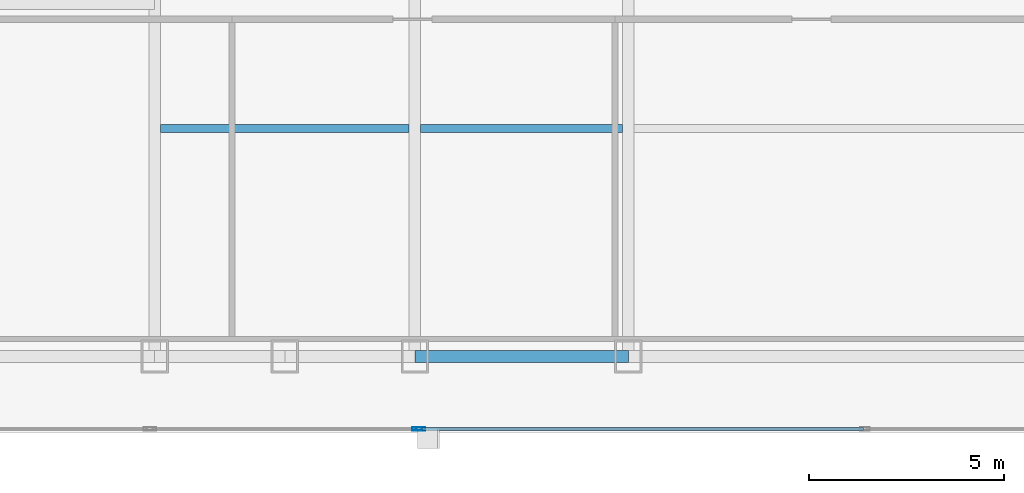
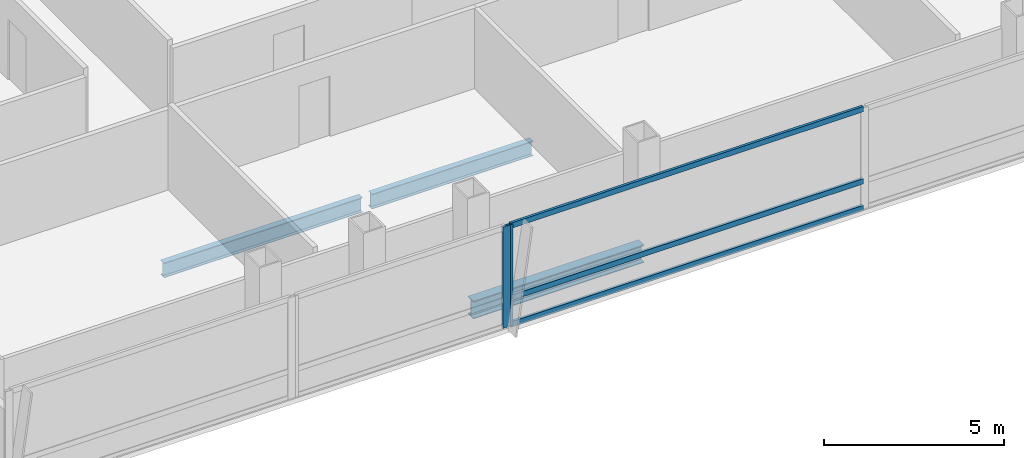
# One storey, part 8 of 29: 5 members, 3 beams, 2 elements without a shape of their own.
"""IFC4 building model written with IfcOpenShell, lengths in metres."""

from ifc_helpers import new_model, si_unit, direction, frame, origin, origin_2d, place, context, subcontext, project, spatial, hollow_rectangle, i_section, extrude, material, material_profile, profile_set, type_object, element, aggregate, save


model = new_model("IFC4")

# Units and contexts
model_context = context("Model", 3, precision=1e-05, world=origin(), true_north=direction((0.0, 1.0)))
body_context = subcontext(model_context, "Body", "Model", "MODEL_VIEW")
ifc_project = project(units=[si_unit("LENGTHUNIT", "METRE"), si_unit("AREAUNIT", "SQUARE_METRE"), si_unit("VOLUMEUNIT", "CUBIC_METRE"), si_unit("PLANEANGLEUNIT", "RADIAN"), si_unit("MASSUNIT", "GRAM", prefix="KILO")], contexts=[model_context])

# Site, building, storey
site_placement = place(None, origin())
site = spatial("IfcSite", under=ifc_project, at=site_placement, CompositionType="ELEMENT")
building_placement = place(site_placement, origin())
building = spatial("IfcBuilding", under=site, at=building_placement, Name="Khoronbel Lancet Exchange", CompositionType="ELEMENT")
storey_placement = place(building_placement, frame((0.0, 0.0, 150.60009765625)))
storey = spatial("IfcBuildingStorey", under=building, at=storey_placement, Name="L37", CompositionType="ELEMENT", Elevation=150.60009765625)

# Beams
ifc_material_1 = material(Name="Steel S355", Category="steel")
ifc_material_profile_1 = material_profile(ifc_material_1, i_section(OverallWidth=0.199951171875, OverallDepth=0.5, WebThickness=0.01025390625, FlangeThickness=0.01611328125, at=origin_2d()), Name="IPE 500")
ifc_profile_set_1 = profile_set([ifc_material_profile_1], Name="Steel S355")
beam_type_1 = type_object("IfcBeamType", Name="BM-BJ3", PredefinedType="JOIST", material=ifc_profile_set_1)
beam_1_placement = place(storey_placement, frame((18.375, 16.0, -0.41015625), z_axis=(1.0, 0.0, 0.0), x_axis=(0.0, 1.0, 0.0)))
element("IfcBeam", 1, at=beam_1_placement, inside=storey, type_object=beam_type_1, Name="Level L37 secondary composite joist J01", PredefinedType="JOIST", context=body_context, shape_type="SweptSolid", body=[
    extrude(i_section(OverallWidth=0.199951171875, OverallDepth=0.5, WebThickness=0.01025390625, FlangeThickness=0.01611328125, at=origin_2d()), origin(), (0.0, 0.0, 1.0), 6.375),
])
beam_2_placement = place(storey_placement, frame((25.050048828125, 16.0, -0.41015625), z_axis=(1.0, 0.0, 0.0), x_axis=(0.0, 1.0, 0.0)))
element("IfcBeam", 2, at=beam_2_placement, inside=storey, type_object=beam_type_1, Name="Level L37 secondary composite joist J02", PredefinedType="JOIST", context=body_context, shape_type="SweptSolid", body=[
    extrude(i_section(OverallWidth=0.199951171875, OverallDepth=0.5, WebThickness=0.01025390625, FlangeThickness=0.01611328125, at=origin_2d()), origin(), (0.0, 0.0, 1.0), 5.175048828125),
])
ifc_material_profile_2 = material_profile(ifc_material_1, i_section(OverallWidth=0.300048828125, OverallDepth=0.60009765625, WebThickness=0.015380859375, FlangeThickness=0.030029296875, at=origin_2d()), Name="HEB 600")
ifc_profile_set_2 = profile_set([ifc_material_profile_2], Name="Steel S355")
beam_type_2 = type_object("IfcBeamType", Name="BM-BSP2", PredefinedType="SPANDREL", material=ifc_profile_set_2)
beam_3_placement = place(storey_placement, frame((24.89990234375, 10.14990234375, -0.460205078125), z_axis=(1.0, 0.0, 0.0), x_axis=(0.0, 1.0, 0.0)))
element("IfcBeam", 3, at=beam_3_placement, inside=storey, type_object=beam_type_2, Name="Level L37 perimeter spandrel beam SP04", PredefinedType="SPANDREL", context=body_context, shape_type="SweptSolid", body=[
    extrude(i_section(OverallWidth=0.300048828125, OverallDepth=0.60009765625, WebThickness=0.015380859375, FlangeThickness=0.030029296875, at=origin_2d()), origin(), (0.0, 0.0, 1.0), 5.47509765625),
])

# Curtain wall, member
ifc_material_2 = material(Name="Low-E Solar Control Insulating Glass", Category="glass")
curtain_wall_type = type_object("IfcCurtainWallType", Name="CW-3", PredefinedType="NOTDEFINED", material=ifc_material_2)
curtain_wall_1_placement = place(storey_placement, origin())
curtain_wall_1 = element("IfcCurtainWall", 4, at=curtain_wall_1_placement, inside=storey, type_object=curtain_wall_type, Name="Unitised curtain wall CW-L37-SWB", PredefinedType="NOTDEFINED")
ifc_material_3 = material(Name="Bronze-Anodised Aluminium 6063-T6", Category="aluminium")
ifc_material_profile_3 = material_profile(ifc_material_3, hollow_rectangle(XDim=0.0849609375, YDim=0.239990234375, WallThickness=0.006103515625, at=origin_2d()), Name="ALU MULLION 85x240")
ifc_profile_set_3 = profile_set([ifc_material_profile_3], Name="Bronze-Anodised Aluminium 6063-T6")
member_type_1 = type_object("IfcMemberType", Name="MEM-CWM1", PredefinedType="MULLION", material=ifc_profile_set_3)
member_1_placement = place(storey_placement, frame((24.95751953125, 8.2900390625, 0.0), z_axis=(0.0, 0.0, 1.0), x_axis=(0.0, 1.0, 0.0)))
member_1 = element("IfcMember", 5, at=member_1_placement, type_object=member_type_1, Name="CW3 mullion 2", PredefinedType="MULLION", context=body_context, shape_type="SweptSolid", body=[
    extrude(hollow_rectangle(XDim=0.0849609375, YDim=0.239990234375, WallThickness=0.006103515625, at=origin_2d()), origin(), (0.0, 0.0, 1.0), 3.43994140625),
])
aggregate(curtain_wall_1, [member_1])

# Curtain wall, members
curtain_wall_2_placement = place(storey_placement, origin())
curtain_wall_2 = element("IfcCurtainWall", 6, at=curtain_wall_2_placement, inside=storey, type_object=curtain_wall_type, Name="Unitised curtain wall CW-L37-SCV", PredefinedType="NOTDEFINED")
member_2_placement = place(storey_placement, frame((25.04248046875, 8.2900390625, 0.0), z_axis=(0.0, 0.0, 1.0), x_axis=(0.0, 1.0, 0.0)))
member_2 = element("IfcMember", 7, at=member_2_placement, type_object=member_type_1, Name="CW3 mullion 1", PredefinedType="MULLION", context=body_context, shape_type="SweptSolid", body=[
    extrude(hollow_rectangle(XDim=0.0849609375, YDim=0.239990234375, WallThickness=0.006103515625, at=origin_2d()), origin(), (0.0, 0.0, 1.0), 3.43994140625),
])
ifc_material_profile_4 = material_profile(ifc_material_3, hollow_rectangle(XDim=0.0849609375, YDim=0.179931640625, WallThickness=0.0048828125, at=origin_2d()), Name="ALU TRANSOM 85x180")
ifc_profile_set_4 = profile_set([ifc_material_profile_4], Name="Bronze-Anodised Aluminium 6063-T6")
member_type_2 = type_object("IfcMemberType", Name="MEM-CWT1", PredefinedType="USERDEFINED", material=ifc_profile_set_4)
member_3_placement = place(storey_placement, frame((25.0849609375, 8.2900390625, 0.04248046875), z_axis=(1.0, 0.0, 0.0), x_axis=(0.0, 1.0, 0.0)))
member_3 = element("IfcMember", 8, at=member_3_placement, type_object=member_type_2, Name="CW3 transom 1.1", ObjectType="TRANSOM", PredefinedType="USERDEFINED", context=body_context, shape_type="SweptSolid", body=[
    extrude(hollow_rectangle(XDim=0.0849609375, YDim=0.179931640625, WallThickness=0.0048828125, at=origin_2d()), origin(), (0.0, 0.0, 1.0), 11.322509765625),
])
member_4_placement = place(storey_placement, frame((25.0849609375, 8.2900390625, 0.949951171875), z_axis=(1.0, 0.0, 0.0), x_axis=(0.0, 1.0, 0.0)))
member_4 = element("IfcMember", 9, at=member_4_placement, type_object=member_type_2, Name="CW3 transom 1.2", ObjectType="TRANSOM", PredefinedType="USERDEFINED", context=body_context, shape_type="SweptSolid", body=[
    extrude(hollow_rectangle(XDim=0.0849609375, YDim=0.179931640625, WallThickness=0.0048828125, at=origin_2d()), origin(), (0.0, 0.0, 1.0), 11.322509765625),
])
member_5_placement = place(storey_placement, frame((25.0849609375, 8.2900390625, 3.3974609375), z_axis=(1.0, 0.0, 0.0), x_axis=(0.0, 1.0, 0.0)))
member_5 = element("IfcMember", 10, at=member_5_placement, type_object=member_type_2, Name="CW3 transom 1.3", ObjectType="TRANSOM", PredefinedType="USERDEFINED", context=body_context, shape_type="SweptSolid", body=[
    extrude(hollow_rectangle(XDim=0.0849609375, YDim=0.179931640625, WallThickness=0.0048828125, at=origin_2d()), origin(), (0.0, 0.0, 1.0), 11.322509765625),
])
aggregate(curtain_wall_2, [member_2, member_3, member_4, member_5])

save(model, "model.ifc")
